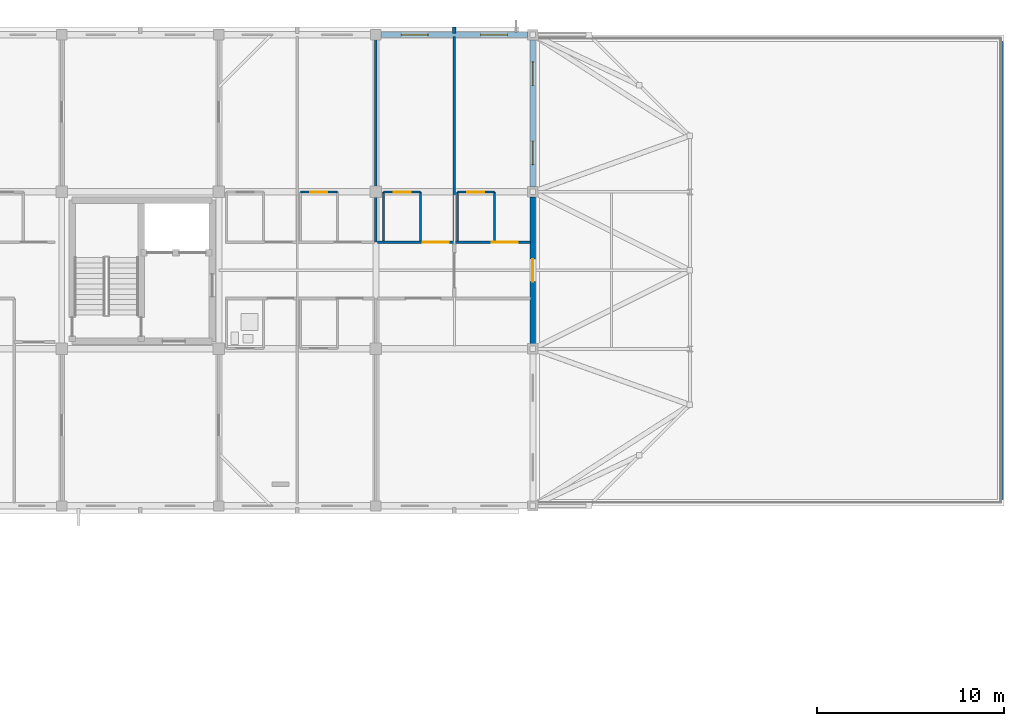
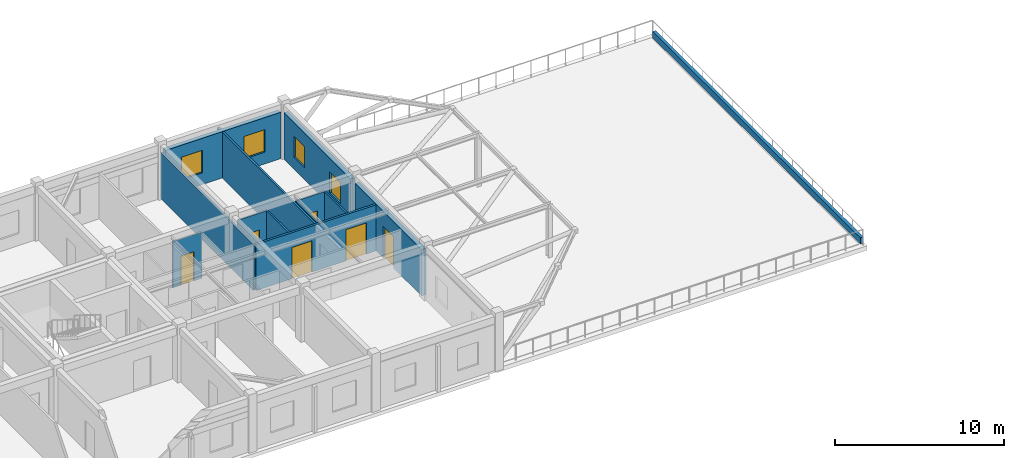
# One storey, part 12 of 21: 15 walls, 6 doors, 4 windows, 10 openings.
"""IFC4 building model written with IfcOpenShell, lengths in metres."""

import ifcopenshell
import ifcopenshell.guid

model = None  # the IFC model being written
_history = None  # IfcOwnerHistory: only IFC2X3 demands one
_inside = {}  # id of a spatial element -> (the spatial element, [elements in it])
_under = {}  # id of a project, library or spatial element -> (it, [spatial elements below it])
_declared = {}  # id of a project -> (the project, [libraries it declares])
_typed = {}  # id of a type object -> (the type object, [elements of that type])
_made_of = {}  # id of a material, layer set ... -> (it, [elements and type objects made of it])


def new_model(schema):
    """Start an empty IFC model of exactly this schema.

    Asked for "IFC4X3", IfcOpenShell would pick the latest addendum, in which some entities
    have other attributes; the version numbers below select the first issue.
    IFC2X3 requires an IfcOwnerHistory on every rooted entity: one is made here for all.
    """
    global model, _history
    if schema == "IFC4X3":
        model = ifcopenshell.file(schema_version=(4, 3, 0, 0))
    else:
        model = ifcopenshell.file(schema=schema)
    _inside.clear()
    _under.clear()
    _declared.clear()
    _typed.clear()
    _made_of.clear()
    _history = None
    if model.schema == "IFC2X3":
        org = make("IfcOrganization", Name="unknown")
        user = make(
            "IfcPersonAndOrganization",
            ThePerson=make("IfcPerson", FamilyName="unknown"),
            TheOrganization=org,
        )
        app = make(
            "IfcApplication",
            ApplicationDeveloper=org,
            Version="unknown",
            ApplicationFullName="unknown",
            ApplicationIdentifier="unknown",
        )
        _history = make(
            "IfcOwnerHistory",
            OwningUser=user,
            OwningApplication=app,
            ChangeAction="ADDED",
            CreationDate=0,
        )
    return model


def make(cls, **values):
    """One entity of the class cls with the attributes given. An attribute that is None is left unset."""
    return model.create_entity(
        cls, **{name: value for name, value in values.items() if value is not None}
    )


def rooted(cls, **values):
    """An entity with a GlobalId (a new one), such as an element, a storey or a relation."""
    return make(cls, GlobalId=ifcopenshell.guid.new(), OwnerHistory=_history, **values)


def si_unit(unit_type, name, prefix=None):
    """IfcSIUnit, for example si_unit("LENGTHUNIT", "METRE", prefix="MILLI")."""
    return make("IfcSIUnit", UnitType=unit_type, Prefix=prefix, Name=name)


def assignment(units):
    """IfcUnitAssignment: the units of a project."""
    return None if units is None else make("IfcUnitAssignment", Units=units)


def point(xyz):
    """IfcCartesianPoint."""
    return None if xyz is None else make("IfcCartesianPoint", Coordinates=xyz)


def direction(xyz):
    """IfcDirection."""
    return None if xyz is None else make("IfcDirection", DirectionRatios=xyz)


def frame(location, z_axis=None, x_axis=None):
    """IfcAxis2Placement3D, a coordinate frame: its origin and axes. An axis left out is left unset."""
    return make(
        "IfcAxis2Placement3D",
        Location=point(location),
        Axis=direction(z_axis),
        RefDirection=direction(x_axis),
    )


def frame_2d(location, x_axis=None):
    """IfcAxis2Placement2D, a coordinate frame in the plane: its origin and x axis."""
    return make(
        "IfcAxis2Placement2D", Location=point(location), RefDirection=direction(x_axis)
    )


def origin():
    """The frame at (0, 0, 0) with its axes left unset."""
    return frame((0.0, 0.0, 0.0))


def place(relative_to, where):
    """IfcLocalPlacement: puts the frame where relative to a parent placement (None: the world)."""
    return make(
        "IfcLocalPlacement", PlacementRelTo=relative_to, RelativePlacement=where
    )


def context(
    kind, dimensions, precision=None, world=None, true_north=None, identifier=None
):
    """IfcGeometricRepresentationContext, for example the 3D "Model" context."""
    return make(
        "IfcGeometricRepresentationContext",
        ContextIdentifier=identifier,
        ContextType=kind,
        CoordinateSpaceDimension=dimensions,
        Precision=precision,
        WorldCoordinateSystem=world,
        TrueNorth=true_north,
    )


def subcontext(parent, identifier, kind, view, scale=None):
    """IfcGeometricRepresentationSubContext, for example "Body" below "Model"."""
    return make(
        "IfcGeometricRepresentationSubContext",
        ContextIdentifier=identifier,
        ContextType=kind,
        ParentContext=parent,
        TargetScale=scale,
        TargetView=view,
    )


def project(units=None, contexts=None):
    """IfcProject with its units and contexts."""
    return rooted(
        "IfcProject",
        Name="project",
        RepresentationContexts=contexts,
        UnitsInContext=assignment(units),
    )


def spatial(cls, under=None, at=None, **own):
    """A site, building, storey or space (cls), placed at a placement, below another one or the project."""
    s = rooted(cls, ObjectPlacement=at, **own)
    if under is not None:
        _under.setdefault(under.id(), (under, []))[1].append(s)
    return s


def profile(cls, at=None, kind="AREA", **sizes):
    """A parametric profile (cls). Its sizes go by their IFC names, for example OverallWidth=200.0."""
    return make(cls, ProfileType=kind, Position=at, **sizes)


def rectangle(**sizes):
    """IfcRectangleProfileDef."""
    return profile("IfcRectangleProfileDef", **sizes)


def extrude(swept, where, along, depth):
    """IfcExtrudedAreaSolid: the profile swept, set in the frame where, extruded along a direction by depth."""
    return make(
        "IfcExtrudedAreaSolid",
        SweptArea=swept,
        Position=where,
        ExtrudedDirection=direction(along),
        Depth=depth,
    )


def shape(context_of_items, identifier, shape_type, items):
    """IfcShapeRepresentation: the items that make up one representation, for example the "Body"."""
    return make(
        "IfcShapeRepresentation",
        ContextOfItems=context_of_items,
        RepresentationIdentifier=identifier,
        RepresentationType=shape_type,
        Items=items,
    )


def material(Name=None, Category=None):
    """IfcMaterial."""
    return make("IfcMaterial", Name=Name, Category=Category)


def layer(
    of_material, thickness, ventilated=None, Name=None, Category=None, Priority=None
):
    """IfcMaterialLayer: one layer of a wall or slab, of a material (None: an air gap)."""
    return make(
        "IfcMaterialLayer",
        Material=of_material,
        LayerThickness=thickness,
        IsVentilated=ventilated,
        Name=Name,
        Category=Category,
        Priority=Priority,
    )


def layer_set(layers, Name=None):
    """IfcMaterialLayerSet."""
    return make("IfcMaterialLayerSet", MaterialLayers=layers, LayerSetName=Name)


def made_of(thing, what):
    """Note that an element or type object is made of a material, layer set ...; save() writes the relation."""
    if what is not None:
        _made_of.setdefault(what.id(), (what, []))[1].append(thing)
    return thing


def type_object(cls, material=None, **own):
    """A type object (cls), such as IfcWallType, which elements share."""
    return made_of(rooted(cls, **own), material)


def element(
    cls,
    number,
    at=None,
    inside=None,
    cuts=None,
    type_object=None,
    material=None,
    context=None,
    identifier="Body",
    shape_type=None,
    held_by="IfcProductDefinitionShape",
    body=None,
    shapes=None,
    **own,
):
    """One element of the class cls, such as IfcWall. Its Tag is "e" and its number.

    at: its placement. inside: the storey or other place that contains it. cuts: it is an
    opening in that element (IfcRelVoidsElement). A single representation is given by context,
    identifier, shape_type and body (its items); several are given by shapes. held_by: the class
    of the entity that holds the representations. save() writes the other relations.
    """
    e = rooted(cls, Tag="e%d" % number, ObjectPlacement=at, **own)
    if body is not None:
        shapes = [shape(context, identifier, shape_type, body)]
    if shapes is not None:
        e.Representation = make(held_by, Representations=shapes)
    if inside is not None:
        _inside.setdefault(inside.id(), (inside, []))[1].append(e)
    if cuts is not None:
        rooted(
            "IfcRelVoidsElement", RelatingBuildingElement=cuts, RelatedOpeningElement=e
        )
    if type_object is not None:
        _typed.setdefault(type_object.id(), (type_object, []))[1].append(e)
    return made_of(e, material)


def fill(opening, filler):
    """IfcRelFillsElement: the door or window that sits in an opening."""
    return rooted(
        "IfcRelFillsElement",
        RelatingOpeningElement=opening,
        RelatedBuildingElement=filler,
    )


def aggregate(whole, parts):
    """IfcRelAggregates: a whole, such as a stair, and the parts it consists of."""
    return rooted("IfcRelAggregates", RelatingObject=whole, RelatedObjects=parts)


def save(model, path):
    """Write the relations noted so far, then the file.

    IfcRelAggregates (storeys below a building ...), IfcRelContainedInSpatialStructure (elements
    in a storey), IfcRelDefinesByType, IfcRelAssociatesMaterial and IfcRelDeclares: one each for
    every whole, place, type object, material and project.
    """
    for whole, parts in _under.values():
        aggregate(whole, parts)
    for where, things in _inside.values():
        rooted(
            "IfcRelContainedInSpatialStructure",
            RelatedElements=things,
            RelatingStructure=where,
        )
    for kind, things in _typed.values():
        rooted("IfcRelDefinesByType", RelatedObjects=things, RelatingType=kind)
    for what, things in _made_of.values():
        rooted("IfcRelAssociatesMaterial", RelatedObjects=things, RelatingMaterial=what)
    for by, libraries in _declared.values():
        rooted("IfcRelDeclares", RelatingContext=by, RelatedDefinitions=libraries)
    model.write(path)


model = new_model("IFC4")

# Units and contexts
model_context = context("Model", 3, precision=1e-05, world=origin(), true_north=direction((0.0, 1.0)))
body_context = subcontext(model_context, "Body", "Model", "MODEL_VIEW")
ifc_project = project(units=[si_unit("LENGTHUNIT", "METRE"), si_unit("AREAUNIT", "SQUARE_METRE"), si_unit("VOLUMEUNIT", "CUBIC_METRE"), si_unit("PLANEANGLEUNIT", "RADIAN"), si_unit("MASSUNIT", "GRAM", prefix="KILO")], contexts=[model_context])

# Site, building, storey
site_placement = place(None, origin())
site = spatial("IfcSite", under=ifc_project, at=site_placement, CompositionType="ELEMENT")
building_placement = place(site_placement, origin())
building = spatial("IfcBuilding", under=site, at=building_placement, Name="Trelvath General Hospital", CompositionType="ELEMENT")
storey_placement = place(building_placement, frame((0.0, 0.0, 28.800048828125)))
storey = spatial("IfcBuildingStorey", under=building, at=storey_placement, Name="L07", CompositionType="ELEMENT", Elevation=28.800048828125)

# Wall
ifc_material_1 = material(Name="Precast concrete C40/50", Category="concrete")
ifc_layer_1 = layer(ifc_material_1, 0.199951171875)
ifc_layer_set_1 = layer_set([ifc_layer_1], Name="Precast concrete C40/50")
wall_type_1 = type_object("IfcWallType", Name="BriseSoleilRib 200", PredefinedType="ELEMENTEDWALL", material=ifc_layer_set_1)
wall_1_placement = place(storey_placement, frame((105.0, 117.675048828125, 0.0), z_axis=(0.0, 0.0, 1.0), x_axis=(0.0, 1.0, 0.0)))
element("IfcWall", 1, at=wall_1_placement, inside=storey, type_object=wall_type_1, Name="Precast Concrete Brise-Soleil Rib Fin L07-479", PredefinedType="ELEMENTEDWALL", context=body_context, shape_type="SweptSolid", body=[
    extrude(rectangle(XDim=0.33984375, YDim=0.199951171875, at=frame_2d((0.169921875, 0.0))), origin(), (0.0, 0.0, 1.0), 3.320068359375),
])

# Wall, openings, doors
ifc_material_2 = material(Name="Gypsum acoustic steel-stud partition", Category="steel")
ifc_layer_2 = layer(ifc_material_2, 0.14990234375)
ifc_layer_set_2 = layer_set([ifc_layer_2], Name="Gypsum acoustic steel-stud partition")
wall_type_2 = type_object("IfcWallType", Name="ClinicalPartition 150", PredefinedType="PARTITIONING", material=ifc_layer_set_2)
wall_2_placement = place(storey_placement, frame((109.06005859375, 106.5, 0.0), z_axis=(0.0, 0.0, 1.0), x_axis=(-1.0, 0.0, 0.0)))
wall_2 = element("IfcWall", 2, at=wall_2_placement, inside=storey, type_object=wall_type_2, Name="Corridor Partition N L07-2429", PredefinedType="PARTITIONING", context=body_context, shape_type="SweptSolid", body=[
    extrude(rectangle(XDim=8.18017578125, YDim=0.14990234375, at=frame_2d((4.090087890625, 0.0))), origin(), (0.0, 0.0, 1.0), 3.320068359375),
])
opening_1_placement = place(wall_2_placement, frame((0.669921875, 0.0, 0.0)))
opening_1 = element("IfcOpeningElement", 3, at=opening_1_placement, cuts=wall_2, Name="Opening D-7-1509", PredefinedType="OPENING", context=body_context, shape_type="SweptSolid", body=[
    extrude(rectangle(XDim=1.3798828125, YDim=2.25, at=frame_2d((0.68994140625, 1.125))), frame((0.0, 0.0849609375, 0.0), z_axis=(0.0, -1.0, 0.0), x_axis=(1.0, 0.0, 0.0)), (0.0, 0.0, 1.0), 0.169921875),
])
opening_2_placement = place(wall_2_placement, frame((4.3701171875, 0.0, 0.0)))
opening_2 = element("IfcOpeningElement", 4, at=opening_2_placement, cuts=wall_2, Name="Opening D-7-1510", PredefinedType="OPENING", context=body_context, shape_type="SweptSolid", body=[
    extrude(rectangle(XDim=1.3798828125, YDim=2.25, at=frame_2d((0.68994140625, 1.125))), frame((0.0, 0.0849609375, 0.0), z_axis=(0.0, -1.0, 0.0), x_axis=(1.0, 0.0, 0.0)), (0.0, 0.0, 1.0), 0.169921875),
])
ifc_material_3 = material(Name="Wheelchair rehab ward door")
door_type_1 = type_object("IfcDoorType", Name="Door PatientRehab 1380x2250", OperationType="NOTDEFINED", PredefinedType="DOOR", material=ifc_material_3)
door_1_placement = place(opening_1_placement, origin())
door_1 = element("IfcDoor", 5, at=door_1_placement, inside=storey, type_object=door_type_1, Name="Patient Room Door N L07-1509", OperationType="SINGLE_SWING_LEFT", OverallHeight=2.25, OverallWidth=1.3798828125, PredefinedType="DOOR", context=body_context, shape_type="SweptSolid", body=[
    extrude(rectangle(XDim=1.3798828125, YDim=2.25, at=frame_2d((0.68994140625, 1.125))), frame((0.0, 0.02490234375, 0.0), z_axis=(0.0, -1.0, 0.0), x_axis=(1.0, 0.0, 0.0)), (0.0, 0.0, 1.0), 0.050048828125),
])
fill(opening_1, door_1)
door_2_placement = place(opening_2_placement, origin())
door_2 = element("IfcDoor", 6, at=door_2_placement, inside=storey, type_object=door_type_1, Name="Patient Room Door N L07-1510", OperationType="SINGLE_SWING_LEFT", OverallHeight=2.25, OverallWidth=1.3798828125, PredefinedType="DOOR", context=body_context, shape_type="SweptSolid", body=[
    extrude(rectangle(XDim=1.3798828125, YDim=2.25, at=frame_2d((0.68994140625, 1.125))), frame((0.0, 0.02490234375, 0.0), z_axis=(0.0, -1.0, 0.0), x_axis=(1.0, 0.0, 0.0)), (0.0, 0.0, 1.0), 0.050048828125),
])
fill(opening_2, door_2)

# Wall, opening, door
ifc_material_4 = material(Name="Moisture-resistant tile partition")
ifc_layer_3 = layer(ifc_material_4, 0.110107421875)
ifc_layer_set_3 = layer_set([ifc_layer_3], Name="Moisture-resistant tile partition")
wall_type_3 = type_object("IfcWallType", Name="EnSuiteWetWall 110", PredefinedType="PARTITIONING", material=ifc_layer_set_3)
wall_3_placement = place(storey_placement, frame((96.760009765625, 109.179931640625, 0.0), z_axis=(0.0, 0.0, 1.0), x_axis=(1.0, 0.0, 0.0)))
wall_3 = element("IfcWall", 7, at=wall_3_placement, inside=storey, type_object=wall_type_3, Name="En-Suite Bathroom N Partition L07-2425", PredefinedType="PARTITIONING", context=body_context, shape_type="SweptSolid", body=[
    extrude(rectangle(XDim=1.97998046875, YDim=0.110107421875, at=frame_2d((0.989990234375, 0.0))), origin(), (0.0, 0.0, 1.0), 3.320068359375),
])
opening_3_placement = place(wall_3_placement, frame((0.5400390625, 0.0, 0.0)))
opening_3 = element("IfcOpeningElement", 8, at=opening_3_placement, cuts=wall_3, Name="Opening D-7-1507", PredefinedType="OPENING", context=body_context, shape_type="SweptSolid", body=[
    extrude(rectangle(XDim=0.89990234375, YDim=2.10009765625, at=frame_2d((0.449951171875, 1.050048828125))), frame((0.0, 0.06494140625, 0.0), z_axis=(0.0, -1.0, 0.0), x_axis=(1.0, 0.0, 0.0)), (0.0, 0.0, 1.0), 0.130126953125),
])
ifc_material_5 = material(Name="Moisture-sealed timber leaf", Category="wood")
door_type_2 = type_object("IfcDoorType", Name="Door EnSuite 900x2100", OperationType="NOTDEFINED", PredefinedType="DOOR", material=ifc_material_5)
door_3_placement = place(opening_3_placement, origin())
door_3 = element("IfcDoor", 9, at=door_3_placement, inside=storey, type_object=door_type_2, Name="En-Suite Bathroom N Door L07-1507", OperationType="SINGLE_SWING_RIGHT", OverallHeight=2.10009765625, OverallWidth=0.89990234375, PredefinedType="DOOR", context=body_context, shape_type="SweptSolid", body=[
    extrude(rectangle(XDim=0.89990234375, YDim=2.10009765625, at=frame_2d((0.449951171875, 1.050048828125))), frame((0.0, 0.02490234375, 0.0), z_axis=(0.0, -1.0, 0.0), x_axis=(1.0, 0.0, 0.0)), (0.0, 0.0, 1.0), 0.050048828125),
])
fill(opening_3, door_3)

# Walls
for number, where, z_axis, x_axis, name in (
    (10, (101.219970703125, 106.570068359375, 0.0), (0.0, 0.0, 1.0), (0.0, 1.0, 0.0), "En-Suite W Wall N L07-2431"),
    (11, (103.199951171875, 106.570068359375, 0.0), (0.0, 0.0, 1.0), (0.0, 1.0, 0.0), "En-Suite E Wall N L07-2432"),
):
    element("IfcWall", number, at=place(storey_placement, frame(where, z_axis=z_axis, x_axis=x_axis)), inside=storey, type_object=wall_type_3, Name=name, PredefinedType="PARTITIONING", context=body_context, shape_type="SweptSolid", body=[
        extrude(rectangle(XDim=2.60986328125, YDim=0.110107421875, at=frame_2d((1.304931640625, 0.0))), origin(), (0.0, 0.0, 1.0), 3.320068359375),
    ])

# Wall, opening, door
wall_4_placement = place(storey_placement, frame((101.219970703125, 109.179931640625, 0.0), z_axis=(0.0, 0.0, 1.0), x_axis=(1.0, 0.0, 0.0)))
wall_4 = element("IfcWall", 12, at=wall_4_placement, inside=storey, type_object=wall_type_3, Name="En-Suite Bathroom N Partition L07-2433", PredefinedType="PARTITIONING", context=body_context, shape_type="SweptSolid", body=[
    extrude(rectangle(XDim=1.97998046875, YDim=0.110107421875, at=frame_2d((0.989990234375, 0.0))), origin(), (0.0, 0.0, 1.0), 3.320068359375),
])
opening_4_placement = place(wall_4_placement, frame((0.5400390625, 0.0, 0.0)))
opening_4 = element("IfcOpeningElement", 13, at=opening_4_placement, cuts=wall_4, Name="Opening D-7-1511", PredefinedType="OPENING", context=body_context, shape_type="SweptSolid", body=[
    extrude(rectangle(XDim=0.89990234375, YDim=2.10009765625, at=frame_2d((0.449951171875, 1.050048828125))), frame((0.0, 0.06494140625, 0.0), z_axis=(0.0, -1.0, 0.0), x_axis=(1.0, 0.0, 0.0)), (0.0, 0.0, 1.0), 0.130126953125),
])
door_4_placement = place(opening_4_placement, origin())
door_4 = element("IfcDoor", 14, at=door_4_placement, inside=storey, type_object=door_type_2, Name="En-Suite Bathroom N Door L07-1511", OperationType="SINGLE_SWING_RIGHT", OverallHeight=2.10009765625, OverallWidth=0.89990234375, PredefinedType="DOOR", context=body_context, shape_type="SweptSolid", body=[
    extrude(rectangle(XDim=0.89990234375, YDim=2.10009765625, at=frame_2d((0.449951171875, 1.050048828125))), frame((0.0, 0.02490234375, 0.0), z_axis=(0.0, -1.0, 0.0), x_axis=(1.0, 0.0, 0.0)), (0.0, 0.0, 1.0), 0.050048828125),
])
fill(opening_4, door_4)

# Walls
for number, where, z_axis, x_axis, name in (
    (15, (105.159912109375, 106.570068359375, 0.0), (0.0, 0.0, 1.0), (0.0, 1.0, 0.0), "En-Suite W Wall N L07-2434"),
    (16, (107.139892578125, 106.570068359375, 0.0), (0.0, 0.0, 1.0), (0.0, 1.0, 0.0), "En-Suite E Wall N L07-2435"),
):
    element("IfcWall", number, at=place(storey_placement, frame(where, z_axis=z_axis, x_axis=x_axis)), inside=storey, type_object=wall_type_3, Name=name, PredefinedType="PARTITIONING", context=body_context, shape_type="SweptSolid", body=[
        extrude(rectangle(XDim=2.60986328125, YDim=0.110107421875, at=frame_2d((1.304931640625, 0.0))), origin(), (0.0, 0.0, 1.0), 3.320068359375),
    ])

# Wall, opening, door
wall_5_placement = place(storey_placement, frame((105.159912109375, 109.179931640625, 0.0), z_axis=(0.0, 0.0, 1.0), x_axis=(1.0, 0.0, 0.0)))
wall_5 = element("IfcWall", 17, at=wall_5_placement, inside=storey, type_object=wall_type_3, Name="En-Suite Bathroom N Partition L07-2436", PredefinedType="PARTITIONING", context=body_context, shape_type="SweptSolid", body=[
    extrude(rectangle(XDim=1.97998046875, YDim=0.110107421875, at=frame_2d((0.989990234375, 0.0))), origin(), (0.0, 0.0, 1.0), 3.320068359375),
])
opening_5_placement = place(wall_5_placement, frame((0.5400390625, 0.0, 0.0)))
opening_5 = element("IfcOpeningElement", 18, at=opening_5_placement, cuts=wall_5, Name="Opening D-7-1512", PredefinedType="OPENING", context=body_context, shape_type="SweptSolid", body=[
    extrude(rectangle(XDim=0.89990234375, YDim=2.10009765625, at=frame_2d((0.449951171875, 1.050048828125))), frame((0.0, 0.06494140625, 0.0), z_axis=(0.0, -1.0, 0.0), x_axis=(1.0, 0.0, 0.0)), (0.0, 0.0, 1.0), 0.130126953125),
])
door_5_placement = place(opening_5_placement, origin())
door_5 = element("IfcDoor", 19, at=door_5_placement, inside=storey, type_object=door_type_2, Name="En-Suite Bathroom N Door L07-1512", OperationType="SINGLE_SWING_LEFT", OverallHeight=2.10009765625, OverallWidth=0.89990234375, PredefinedType="DOOR", context=body_context, shape_type="SweptSolid", body=[
    extrude(rectangle(XDim=0.89990234375, YDim=2.10009765625, at=frame_2d((0.449951171875, 1.050048828125))), frame((0.0, 0.02490234375, 0.0), z_axis=(0.0, -1.0, 0.0), x_axis=(1.0, 0.0, 0.0)), (0.0, 0.0, 1.0), 0.050048828125),
])
fill(opening_5, door_5)

ifc_material_6 = material(Name="Concrete C35/45", Category="concrete")
ifc_layer_4 = layer(ifc_material_6, 0.2900390625)
ifc_layer_set_4 = layer_set([ifc_layer_4], Name="Concrete C35/45")
wall_type_4 = type_object("IfcWallType", Name="ExtBushHammeredWall 290", PredefinedType="SOLIDWALL", material=ifc_layer_set_4)
wall_6_placement = place(storey_placement, frame((109.199951171875, 108.929931640625, 0.0), z_axis=(0.0, 0.0, 1.0), x_axis=(0.0, -1.0, 0.0)))
wall_6 = element("IfcWall", 20, at=wall_6_placement, inside=storey, type_object=wall_type_4, Name="Exterior Concrete Wall L07-629", PredefinedType="SOLIDWALL", context=body_context, shape_type="SweptSolid", body=[
    extrude(rectangle(XDim=7.85986328125, YDim=0.2900390625, at=frame_2d((3.929931640625, 0.0))), origin(), (0.0, 0.0, 1.0), 3.33984375),
])
opening_6_placement = place(wall_6_placement, frame((3.330078125, 0.0, 0.0)))
opening_6 = element("IfcOpeningElement", 21, at=opening_6_placement, cuts=wall_6, Name="Opening TD-7-69", PredefinedType="OPENING", context=body_context, shape_type="SweptSolid", body=[
    extrude(rectangle(XDim=1.199951171875, YDim=2.25, at=frame_2d((0.60009765625, 1.125))), frame((0.0, 0.155029296875, 0.0), z_axis=(0.0, -1.0, 0.0), x_axis=(1.0, 0.0, 0.0)), (0.0, 0.0, 1.0), 0.31005859375),
])
ifc_material_7 = material(Name="Thermally broken glazed aluminium door", Category="aluminium")
door_type_3 = type_object("IfcDoorType", Name="Door Terrace 1200x2250", OperationType="NOTDEFINED", PredefinedType="DOOR", material=ifc_material_7)
door_6_placement = place(opening_6_placement, origin())
door_6 = element("IfcDoor", 22, at=door_6_placement, inside=storey, type_object=door_type_3, Name="Planted Terrace Access Door TERR-NW-E7 L07", OperationType="SINGLE_SWING_LEFT", OverallHeight=2.25, OverallWidth=1.199951171875, PredefinedType="DOOR", context=body_context, shape_type="SweptSolid", body=[
    extrude(rectangle(XDim=1.199951171875, YDim=2.25, at=frame_2d((0.60009765625, 1.125))), frame((0.0, 0.02490234375, 0.0), z_axis=(0.0, -1.0, 0.0), x_axis=(1.0, 0.0, 0.0)), (0.0, 0.0, 1.0), 0.050048828125),
])
fill(opening_6, door_6)

# Wall, openings, windows
wall_7_placement = place(storey_placement, frame((101.070068359375, 117.60009765625, 0.0), z_axis=(0.0, 0.0, 1.0), x_axis=(1.0, 0.0, 0.0)))
wall_7 = element("IfcWall", 23, at=wall_7_placement, inside=storey, type_object=wall_type_4, Name="Exterior Concrete Wall L07-630", PredefinedType="SOLIDWALL", context=body_context, shape_type="SweptSolid", body=[
    extrude(rectangle(XDim=7.85986328125, YDim=0.2900390625, at=frame_2d((3.929931640625, 0.0))), origin(), (0.0, 0.0, 1.0), 3.33984375),
])
opening_7_placement = place(wall_7_placement, frame((1.087890625, 0.0, 0.85009765625)))
opening_7 = element("IfcOpeningElement", 24, at=opening_7_placement, cuts=wall_7, Name="Opening WN-7-1065", PredefinedType="OPENING", context=body_context, shape_type="SweptSolid", body=[
    extrude(rectangle(XDim=1.43994140625, YDim=1.6201171875, at=frame_2d((0.719970703125, 0.81005859375))), frame((0.0, 0.155029296875, 0.0), z_axis=(0.0, -1.0, 0.0), x_axis=(1.0, 0.0, 0.0)), (0.0, 0.0, 1.0), 0.31005859375),
])
opening_8_placement = place(wall_7_placement, frame((5.332275390625, 0.0, 0.85009765625)))
opening_8 = element("IfcOpeningElement", 25, at=opening_8_placement, cuts=wall_7, Name="Opening WN-7-1066", PredefinedType="OPENING", context=body_context, shape_type="SweptSolid", body=[
    extrude(rectangle(XDim=1.43994140625, YDim=1.6201171875, at=frame_2d((0.719970703125, 0.81005859375))), frame((0.0, 0.155029296875, 0.0), z_axis=(0.0, -1.0, 0.0), x_axis=(1.0, 0.0, 0.0)), (0.0, 0.0, 1.0), 0.31005859375),
])
ifc_material_8 = material(Name="Low-E laminated glass", Category="glass")
window_type_1 = type_object("IfcWindowType", Name="Window Maternity 1440x1620", PartitioningType="DOUBLE_PANEL_VERTICAL", PredefinedType="WINDOW", material=ifc_material_8)
window_1_placement = place(opening_7_placement, origin())
window_1 = element("IfcWindow", 26, at=window_1_placement, inside=storey, type_object=window_type_1, Name="Solar Reveal Window L07-1065", OverallHeight=1.6201171875, OverallWidth=1.43994140625, PartitioningType="SINGLE_PANEL", PredefinedType="WINDOW", context=body_context, shape_type="SweptSolid", body=[
    extrude(rectangle(XDim=1.43994140625, YDim=1.6201171875, at=frame_2d((0.719970703125, 0.81005859375))), frame((0.0, 0.030029296875, 0.0), z_axis=(0.0, -1.0, 0.0), x_axis=(1.0, 0.0, 0.0)), (0.0, 0.0, 1.0), 0.06005859375),
])
fill(opening_7, window_1)
window_2_placement = place(opening_8_placement, origin())
window_2 = element("IfcWindow", 27, at=window_2_placement, inside=storey, type_object=window_type_1, Name="Solar Reveal Window L07-1066", OverallHeight=1.6201171875, OverallWidth=1.43994140625, PartitioningType="SINGLE_PANEL", PredefinedType="WINDOW", context=body_context, shape_type="SweptSolid", body=[
    extrude(rectangle(XDim=1.43994140625, YDim=1.6201171875, at=frame_2d((0.719970703125, 0.81005859375))), frame((0.0, 0.030029296875, 0.0), z_axis=(0.0, -1.0, 0.0), x_axis=(1.0, 0.0, 0.0)), (0.0, 0.0, 1.0), 0.06005859375),
])
fill(opening_8, window_2)

wall_8_placement = place(storey_placement, frame((109.199951171875, 117.330078125, 0.0), z_axis=(0.0, 0.0, 1.0), x_axis=(0.0, -1.0, 0.0)))
wall_8 = element("IfcWall", 28, at=wall_8_placement, inside=storey, type_object=wall_type_4, Name="Exterior Concrete Wall L07-631", PredefinedType="SOLIDWALL", context=body_context, shape_type="SweptSolid", body=[
    extrude(rectangle(XDim=7.860107421875, YDim=0.2900390625, at=frame_2d((3.93017578125, 0.0))), origin(), (0.0, 0.0, 1.0), 3.33984375),
])
opening_9_placement = place(wall_8_placement, frame((1.177734375, 0.0, 0.85009765625)))
opening_9 = element("IfcOpeningElement", 29, at=opening_9_placement, cuts=wall_8, Name="Opening WN-7-1067", PredefinedType="OPENING", context=body_context, shape_type="SweptSolid", body=[
    extrude(rectangle(XDim=1.260009765625, YDim=1.52001953125, at=frame_2d((0.6298828125, 0.760009765625))), frame((0.0, 0.155029296875, 0.0), z_axis=(0.0, -1.0, 0.0), x_axis=(1.0, 0.0, 0.0)), (0.0, 0.0, 1.0), 0.31005859375),
])
opening_10_placement = place(wall_8_placement, frame((5.422119140625, 0.0, 0.85009765625)))
opening_10 = element("IfcOpeningElement", 30, at=opening_10_placement, cuts=wall_8, Name="Opening WN-7-1068", PredefinedType="OPENING", context=body_context, shape_type="SweptSolid", body=[
    extrude(rectangle(XDim=1.260009765625, YDim=1.52001953125, at=frame_2d((0.6298828125, 0.760009765625))), frame((0.0, 0.155029296875, 0.0), z_axis=(0.0, -1.0, 0.0), x_axis=(1.0, 0.0, 0.0)), (0.0, 0.0, 1.0), 0.31005859375),
])
ifc_material_9 = material(Name="Low-E laminated glass", Category="glass")
window_type_2 = type_object("IfcWindowType", Name="Window Oncology 1260x1520", PartitioningType="SINGLE_PANEL", PredefinedType="WINDOW", material=ifc_material_9)
window_3_placement = place(opening_9_placement, origin())
window_3 = element("IfcWindow", 31, at=window_3_placement, inside=storey, type_object=window_type_2, Name="Solar Reveal Window L07-1067", OverallHeight=1.52001953125, OverallWidth=1.260009765625, PartitioningType="SINGLE_PANEL", PredefinedType="WINDOW", context=body_context, shape_type="SweptSolid", body=[
    extrude(rectangle(XDim=1.260009765625, YDim=1.52001953125, at=frame_2d((0.6298828125, 0.760009765625))), frame((0.0, 0.030029296875, 0.0), z_axis=(0.0, -1.0, 0.0), x_axis=(1.0, 0.0, 0.0)), (0.0, 0.0, 1.0), 0.06005859375),
])
fill(opening_9, window_3)
window_4_placement = place(opening_10_placement, origin())
window_4 = element("IfcWindow", 32, at=window_4_placement, inside=storey, type_object=window_type_2, Name="Solar Reveal Window L07-1068", OverallHeight=1.52001953125, OverallWidth=1.260009765625, PartitioningType="SINGLE_PANEL", PredefinedType="WINDOW", context=body_context, shape_type="SweptSolid", body=[
    extrude(rectangle(XDim=1.260009765625, YDim=1.52001953125, at=frame_2d((0.6298828125, 0.760009765625))), frame((0.0, 0.030029296875, 0.0), z_axis=(0.0, -1.0, 0.0), x_axis=(1.0, 0.0, 0.0)), (0.0, 0.0, 1.0), 0.06005859375),
])
fill(opening_10, window_4)

# Walls
ifc_material_10 = material(Name="Concrete C35/45", Category="concrete")
ifc_layer_5 = layer(ifc_material_10, 0.2099609375)
ifc_layer_set_5 = layer_set([ifc_layer_5], Name="Concrete C35/45")
wall_type_5 = type_object("IfcWallType", Name="TerraceParapet 210", PredefinedType="PARAPET", material=ifc_layer_set_5)
wall_9_placement = place(storey_placement, frame((134.25, 92.75, 0.0), z_axis=(0.0, 0.0, 1.0), x_axis=(0.0, 1.0, 0.0)))
element("IfcWall", 33, at=wall_9_placement, inside=storey, type_object=wall_type_5, Name="Terrace Planter Upstand TERR-NW-E7", PredefinedType="PARAPET", context=body_context, shape_type="SweptSolid", body=[
    extrude(rectangle(XDim=24.5, YDim=0.2099609375, at=frame_2d((12.25, 0.0))), origin(), (0.0, 0.0, 1.0), 0.449951171875),
])
ifc_material_11 = material(Name="Gypsum acoustic steel-stud partition", Category="steel")
ifc_layer_6 = layer(ifc_material_11, 0.1298828125)
ifc_layer_set_6 = layer_set([ifc_layer_6], Name="Gypsum acoustic steel-stud partition")
wall_type_6 = type_object("IfcWallType", Name="WardPartition 130", PredefinedType="PARTITIONING", material=ifc_layer_set_6)
wall_10_placement = place(storey_placement, frame((100.800048828125, 106.52001953125, 0.0), z_axis=(0.0, 0.0, 1.0), x_axis=(0.0, 1.0, 0.0)))
element("IfcWall", 34, at=wall_10_placement, inside=storey, type_object=wall_type_6, Name="Inter-Bay Ward Partition N L07-2427", PredefinedType="PARTITIONING", context=body_context, shape_type="SweptSolid", body=[
    extrude(rectangle(XDim=10.93994140625, YDim=0.1298828125, at=frame_2d((5.469970703125, 0.0))), origin(), (0.0, 0.0, 1.0), 3.320068359375),
])
wall_11_placement = place(storey_placement, frame((105.0, 106.570068359375, 0.0), z_axis=(0.0, 0.0, 1.0), x_axis=(0.0, 1.0, 0.0)))
element("IfcWall", 35, at=wall_11_placement, inside=storey, type_object=wall_type_6, Name="Room Dividing Partition N L07-2430", PredefinedType="PARTITIONING", context=body_context, shape_type="SweptSolid", body=[
    extrude(rectangle(XDim=10.929931640625, YDim=0.1298828125, at=frame_2d((5.46484375, 0.0))), origin(), (0.0, 0.0, 1.0), 3.320068359375),
])

save(model, "model.ifc")
